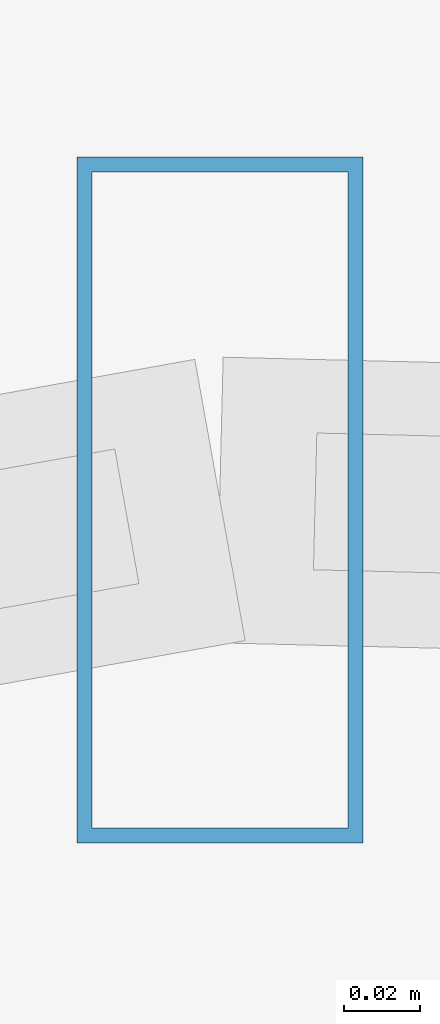
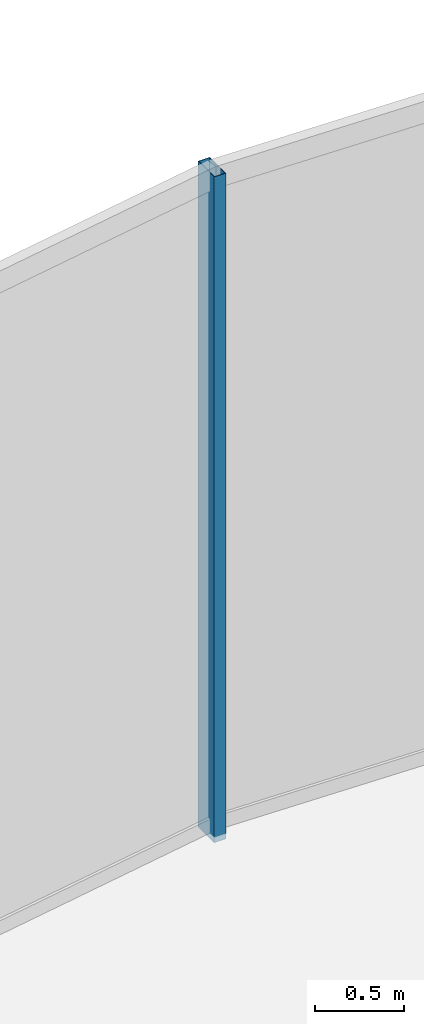
# One storey, part 15 of 27: 1 member, 1 element without a shape of its own.
"""IFC4 building model written with IfcOpenShell, lengths in metres."""

import ifcopenshell
import ifcopenshell.guid

model = None  # the IFC model being written
_history = None  # IfcOwnerHistory: only IFC2X3 demands one
_inside = {}  # id of a spatial element -> (the spatial element, [elements in it])
_under = {}  # id of a project, library or spatial element -> (it, [spatial elements below it])
_declared = {}  # id of a project -> (the project, [libraries it declares])
_typed = {}  # id of a type object -> (the type object, [elements of that type])
_made_of = {}  # id of a material, layer set ... -> (it, [elements and type objects made of it])


def new_model(schema):
    """Start an empty IFC model of exactly this schema.

    Asked for "IFC4X3", IfcOpenShell would pick the latest addendum, in which some entities
    have other attributes; the version numbers below select the first issue.
    IFC2X3 requires an IfcOwnerHistory on every rooted entity: one is made here for all.
    """
    global model, _history
    if schema == "IFC4X3":
        model = ifcopenshell.file(schema_version=(4, 3, 0, 0))
    else:
        model = ifcopenshell.file(schema=schema)
    _inside.clear()
    _under.clear()
    _declared.clear()
    _typed.clear()
    _made_of.clear()
    _history = None
    if model.schema == "IFC2X3":
        org = make("IfcOrganization", Name="unknown")
        user = make(
            "IfcPersonAndOrganization",
            ThePerson=make("IfcPerson", FamilyName="unknown"),
            TheOrganization=org,
        )
        app = make(
            "IfcApplication",
            ApplicationDeveloper=org,
            Version="unknown",
            ApplicationFullName="unknown",
            ApplicationIdentifier="unknown",
        )
        _history = make(
            "IfcOwnerHistory",
            OwningUser=user,
            OwningApplication=app,
            ChangeAction="ADDED",
            CreationDate=0,
        )
    return model


def make(cls, **values):
    """One entity of the class cls with the attributes given. An attribute that is None is left unset."""
    return model.create_entity(
        cls, **{name: value for name, value in values.items() if value is not None}
    )


def rooted(cls, **values):
    """An entity with a GlobalId (a new one), such as an element, a storey or a relation."""
    return make(cls, GlobalId=ifcopenshell.guid.new(), OwnerHistory=_history, **values)


def si_unit(unit_type, name, prefix=None):
    """IfcSIUnit, for example si_unit("LENGTHUNIT", "METRE", prefix="MILLI")."""
    return make("IfcSIUnit", UnitType=unit_type, Prefix=prefix, Name=name)


def assignment(units):
    """IfcUnitAssignment: the units of a project."""
    return None if units is None else make("IfcUnitAssignment", Units=units)


def point(xyz):
    """IfcCartesianPoint."""
    return None if xyz is None else make("IfcCartesianPoint", Coordinates=xyz)


def direction(xyz):
    """IfcDirection."""
    return None if xyz is None else make("IfcDirection", DirectionRatios=xyz)


def frame(location, z_axis=None, x_axis=None):
    """IfcAxis2Placement3D, a coordinate frame: its origin and axes. An axis left out is left unset."""
    return make(
        "IfcAxis2Placement3D",
        Location=point(location),
        Axis=direction(z_axis),
        RefDirection=direction(x_axis),
    )


def frame_2d(location, x_axis=None):
    """IfcAxis2Placement2D, a coordinate frame in the plane: its origin and x axis."""
    return make(
        "IfcAxis2Placement2D", Location=point(location), RefDirection=direction(x_axis)
    )


def origin():
    """The frame at (0, 0, 0) with its axes left unset."""
    return frame((0.0, 0.0, 0.0))


def origin_2d():
    """The frame at (0, 0) in the plane with its x axis left unset."""
    return frame_2d((0.0, 0.0))


def place(relative_to, where):
    """IfcLocalPlacement: puts the frame where relative to a parent placement (None: the world)."""
    return make(
        "IfcLocalPlacement", PlacementRelTo=relative_to, RelativePlacement=where
    )


def context(
    kind, dimensions, precision=None, world=None, true_north=None, identifier=None
):
    """IfcGeometricRepresentationContext, for example the 3D "Model" context."""
    return make(
        "IfcGeometricRepresentationContext",
        ContextIdentifier=identifier,
        ContextType=kind,
        CoordinateSpaceDimension=dimensions,
        Precision=precision,
        WorldCoordinateSystem=world,
        TrueNorth=true_north,
    )


def subcontext(parent, identifier, kind, view, scale=None):
    """IfcGeometricRepresentationSubContext, for example "Body" below "Model"."""
    return make(
        "IfcGeometricRepresentationSubContext",
        ContextIdentifier=identifier,
        ContextType=kind,
        ParentContext=parent,
        TargetScale=scale,
        TargetView=view,
    )


def project(units=None, contexts=None):
    """IfcProject with its units and contexts."""
    return rooted(
        "IfcProject",
        Name="project",
        RepresentationContexts=contexts,
        UnitsInContext=assignment(units),
    )


def spatial(cls, under=None, at=None, **own):
    """A site, building, storey or space (cls), placed at a placement, below another one or the project."""
    s = rooted(cls, ObjectPlacement=at, **own)
    if under is not None:
        _under.setdefault(under.id(), (under, []))[1].append(s)
    return s


def profile(cls, at=None, kind="AREA", **sizes):
    """A parametric profile (cls). Its sizes go by their IFC names, for example OverallWidth=200.0."""
    return make(cls, ProfileType=kind, Position=at, **sizes)


def hollow_rectangle(**sizes):
    """IfcRectangleHollowProfileDef."""
    return profile("IfcRectangleHollowProfileDef", **sizes)


def extrude(swept, where, along, depth):
    """IfcExtrudedAreaSolid: the profile swept, set in the frame where, extruded along a direction by depth."""
    return make(
        "IfcExtrudedAreaSolid",
        SweptArea=swept,
        Position=where,
        ExtrudedDirection=direction(along),
        Depth=depth,
    )


def shape(context_of_items, identifier, shape_type, items):
    """IfcShapeRepresentation: the items that make up one representation, for example the "Body"."""
    return make(
        "IfcShapeRepresentation",
        ContextOfItems=context_of_items,
        RepresentationIdentifier=identifier,
        RepresentationType=shape_type,
        Items=items,
    )


def material(Name=None, Category=None):
    """IfcMaterial."""
    return make("IfcMaterial", Name=Name, Category=Category)


def material_profile(
    of_material, cross_section, Name=None, Category=None, Priority=None
):
    """IfcMaterialProfile: a cross section and its material."""
    return make(
        "IfcMaterialProfile",
        Name=Name,
        Material=of_material,
        Profile=cross_section,
        Priority=Priority,
        Category=Category,
    )


def profile_set(profiles, Name=None, composite=None):
    """IfcMaterialProfileSet."""
    return make(
        "IfcMaterialProfileSet",
        Name=Name,
        MaterialProfiles=profiles,
        CompositeProfile=composite,
    )


def made_of(thing, what):
    """Note that an element or type object is made of a material, layer set ...; save() writes the relation."""
    if what is not None:
        _made_of.setdefault(what.id(), (what, []))[1].append(thing)
    return thing


def type_object(cls, material=None, **own):
    """A type object (cls), such as IfcWallType, which elements share."""
    return made_of(rooted(cls, **own), material)


def element(
    cls,
    number,
    at=None,
    inside=None,
    cuts=None,
    type_object=None,
    material=None,
    context=None,
    identifier="Body",
    shape_type=None,
    held_by="IfcProductDefinitionShape",
    body=None,
    shapes=None,
    **own,
):
    """One element of the class cls, such as IfcWall. Its Tag is "e" and its number.

    at: its placement. inside: the storey or other place that contains it. cuts: it is an
    opening in that element (IfcRelVoidsElement). A single representation is given by context,
    identifier, shape_type and body (its items); several are given by shapes. held_by: the class
    of the entity that holds the representations. save() writes the other relations.
    """
    e = rooted(cls, Tag="e%d" % number, ObjectPlacement=at, **own)
    if body is not None:
        shapes = [shape(context, identifier, shape_type, body)]
    if shapes is not None:
        e.Representation = make(held_by, Representations=shapes)
    if inside is not None:
        _inside.setdefault(inside.id(), (inside, []))[1].append(e)
    if cuts is not None:
        rooted(
            "IfcRelVoidsElement", RelatingBuildingElement=cuts, RelatedOpeningElement=e
        )
    if type_object is not None:
        _typed.setdefault(type_object.id(), (type_object, []))[1].append(e)
    return made_of(e, material)


def aggregate(whole, parts):
    """IfcRelAggregates: a whole, such as a stair, and the parts it consists of."""
    return rooted("IfcRelAggregates", RelatingObject=whole, RelatedObjects=parts)


def save(model, path):
    """Write the relations noted so far, then the file.

    IfcRelAggregates (storeys below a building ...), IfcRelContainedInSpatialStructure (elements
    in a storey), IfcRelDefinesByType, IfcRelAssociatesMaterial and IfcRelDeclares: one each for
    every whole, place, type object, material and project.
    """
    for whole, parts in _under.values():
        aggregate(whole, parts)
    for where, things in _inside.values():
        rooted(
            "IfcRelContainedInSpatialStructure",
            RelatedElements=things,
            RelatingStructure=where,
        )
    for kind, things in _typed.values():
        rooted("IfcRelDefinesByType", RelatedObjects=things, RelatingType=kind)
    for what, things in _made_of.values():
        rooted("IfcRelAssociatesMaterial", RelatedObjects=things, RelatingMaterial=what)
    for by, libraries in _declared.values():
        rooted("IfcRelDeclares", RelatingContext=by, RelatedDefinitions=libraries)
    model.write(path)


model = new_model("IFC4")

# Units and contexts
model_context = context("Model", 3, precision=1e-05, world=origin(), true_north=direction((0.0, 1.0)))
body_context = subcontext(model_context, "Body", "Model", "MODEL_VIEW")
ifc_project = project(units=[si_unit("LENGTHUNIT", "METRE"), si_unit("AREAUNIT", "SQUARE_METRE"), si_unit("VOLUMEUNIT", "CUBIC_METRE"), si_unit("PLANEANGLEUNIT", "RADIAN"), si_unit("MASSUNIT", "GRAM", prefix="KILO")], contexts=[model_context])

# Site, building, storey
site_placement = place(None, origin())
site = spatial("IfcSite", under=ifc_project, at=site_placement, CompositionType="ELEMENT")
building_placement = place(site_placement, origin())
building = spatial("IfcBuilding", under=site, at=building_placement, Name="Vorneva Point Tower", CompositionType="ELEMENT")
storey_placement = place(building_placement, frame((0.0, 0.0, 4.800048828125)))
storey = spatial("IfcBuildingStorey", under=building, at=storey_placement, Name="L01", CompositionType="ELEMENT", Elevation=4.800048828125)

# Curtain wall, member
ifc_material = material(Name="Pale anodised aluminium", Category="aluminium")
curtain_wall_type = type_object("IfcCurtainWallType", Name="CW-POD-SYS", PredefinedType="NOTDEFINED", material=ifc_material)
curtain_wall_placement = place(storey_placement, origin())
curtain_wall = element("IfcCurtainWall", 1, at=curtain_wall_placement, inside=storey, type_object=curtain_wall_type, Name="L01 Unitised Curtain Wall CW-L01-R02", PredefinedType="NOTDEFINED")
ifc_material_profile = material_profile(ifc_material, hollow_rectangle(XDim=0.074951171875, YDim=0.179931640625, WallThickness=0.00390625, at=origin_2d()), Name="AL-MUL 180x75x4")
ifc_profile_set = profile_set([ifc_material_profile], Name="Pale anodised aluminium")
member_type = type_object("IfcMemberType", Name="CW-MUL-180", PredefinedType="MULLION", material=ifc_profile_set)
member_placement = place(storey_placement, frame((25.642822265625, 48.943603515625, -0.0400390625), z_axis=(0.0, 0.0, 1.0), x_axis=(1.0, 0.0, 0.0)))
member = element("IfcMember", 2, at=member_placement, type_object=member_type, Name="CW-L01-R02 Mullion 02", PredefinedType="MULLION", context=body_context, shape_type="SweptSolid", body=[
    extrude(hollow_rectangle(XDim=0.074951171875, YDim=0.179931640625, WallThickness=0.00390625, at=origin_2d()), origin(), (0.0, 0.0, 1.0), 4.550048828125),
])
aggregate(curtain_wall, [member])

save(model, "model.ifc")
